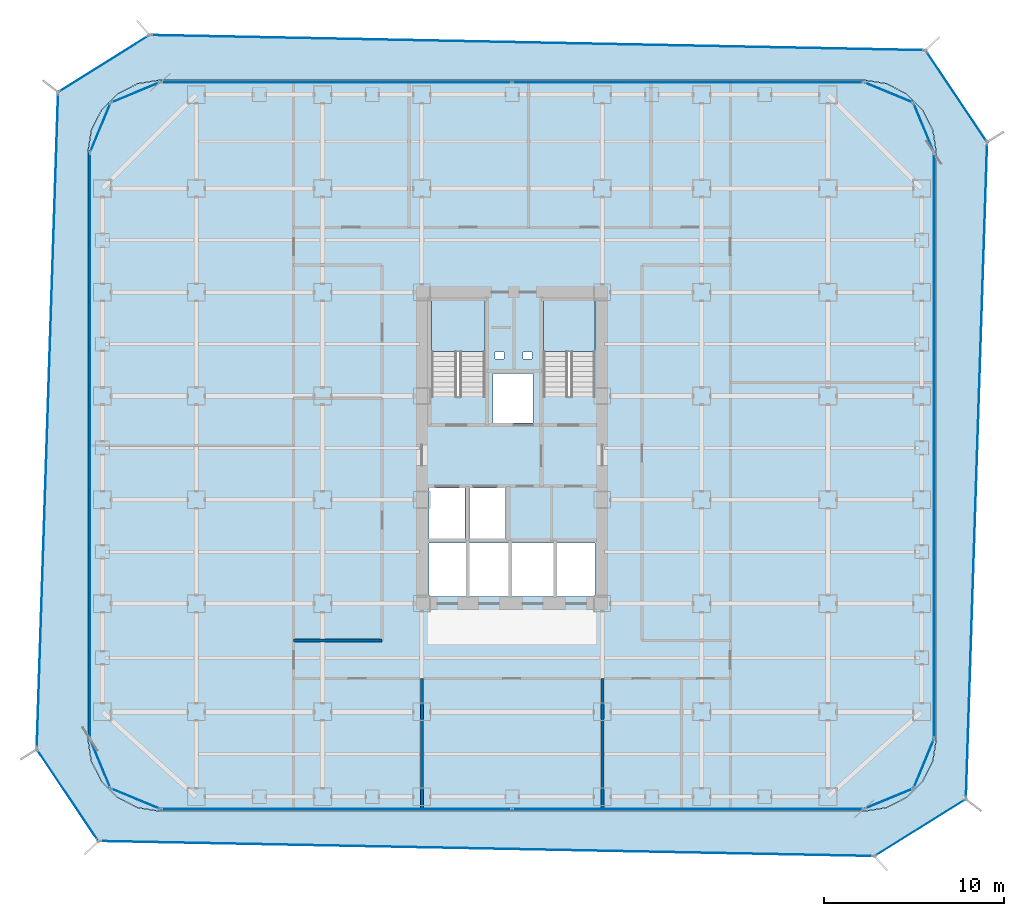
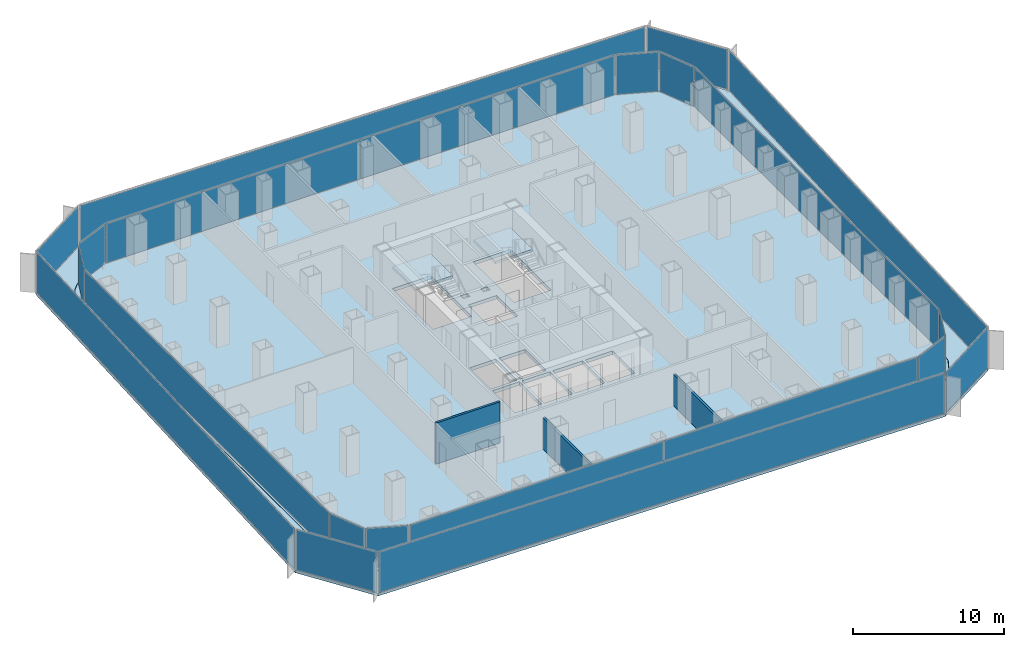
# One storey, part 16 of 21: 22 plates, 4 slabs, 3 walls, 22 elements without a shape of their own.
"""IFC4 building model written with IfcOpenShell, lengths in metres."""

from ifc_helpers import new_model, si_unit, direction, frame, frame_2d, origin, origin_2d, place, context, subcontext, project, spatial, polyline, rectangle, outline, extrude, source, transform, mapped, material, layer, layer_set, type_object, element, aggregate, save


model = new_model("IFC4")

# Units and contexts
model_context = context("Model", 3, precision=1e-05, world=origin(), true_north=direction((0.0, 1.0)))
body_context = subcontext(model_context, "Body", "Model", "MODEL_VIEW")
ifc_project = project(units=[si_unit("LENGTHUNIT", "METRE"), si_unit("AREAUNIT", "SQUARE_METRE"), si_unit("VOLUMEUNIT", "CUBIC_METRE"), si_unit("PLANEANGLEUNIT", "RADIAN"), si_unit("MASSUNIT", "GRAM", prefix="KILO")], contexts=[model_context])

# Site, building, storey
site_placement = place(None, origin())
site = spatial("IfcSite", under=ifc_project, at=site_placement, CompositionType="ELEMENT")
building_placement = place(site_placement, origin())
building = spatial("IfcBuilding", under=site, at=building_placement, Name="Kolveth Station Tower", CompositionType="ELEMENT")
storey_placement = place(building_placement, frame((0.0, 0.0, 33.300048828125)))
storey = spatial("IfcBuildingStorey", under=building, at=storey_placement, Name="L08", CompositionType="ELEMENT", Elevation=33.300048828125)

# Slab
ifc_material_1 = material(Name="Concrete C45/55", Category="concrete")
ifc_layer_1 = layer(ifc_material_1, 0.280029296875)
ifc_layer_set_1 = layer_set([ifc_layer_1], Name="Concrete C45/55")
slab_type_1 = type_object("IfcSlabType", Name="Slab_SF-280", PredefinedType="FLOOR", material=ifc_layer_set_1)
slab_1_placement = place(storey_placement, frame((0.0, 0.0, -0.280029296875)))
element("IfcSlab", 1, at=slab_1_placement, inside=storey, type_object=slab_type_1, Name="L08 Tower Structural Floor Slab", PredefinedType="FLOOR", context=body_context, shape_type="SweptSolid", body=[
    extrude(outline(polyline([(43.0, 0.0), (44.236083984375, 0.19580078125), (45.35107421875, 0.763916015625), (46.236083984375, 1.64892578125), (46.80419921875, 2.763916015625), (47.0, 4.0), (47.0, 36.5), (46.80419921875, 37.736083984375), (46.236083984375, 38.85107421875), (45.35107421875, 39.736083984375), (44.236083984375, 40.30419921875), (43.0, 40.5), (4.0, 40.5), (2.763916015625, 40.30419921875), (1.64892578125, 39.736083984375), (0.763916015625, 38.85107421875), (0.19580078125, 37.736083984375), (0.0, 36.5), (0.0, 4.0), (0.19580078125, 2.763916015625), (0.763916015625, 1.64892578125), (1.64892578125, 0.763916015625), (2.763916015625, 0.19580078125), (4.0, 0.0), (43.0, 0.0)]), holes=[polyline([(19.0400390625, 22.985107421875), (22.0, 22.985107421875), (22.0, 28.39990234375), (19.0400390625, 28.39990234375), (19.0400390625, 22.985107421875)]), polyline([(25.239990234375, 22.985107421875), (28.10009765625, 22.985107421875), (28.10009765625, 28.39990234375), (25.239990234375, 28.39990234375), (25.239990234375, 22.985107421875)]), polyline([(18.89990234375, 15.10009765625), (20.89990234375, 15.10009765625), (20.89990234375, 17.89990234375), (18.89990234375, 17.89990234375), (18.89990234375, 15.10009765625)]), polyline([(21.14990234375, 15.10009765625), (23.14990234375, 15.10009765625), (23.14990234375, 17.89990234375), (21.14990234375, 17.89990234375), (21.14990234375, 15.10009765625)]), polyline([(22.449951171875, 21.5), (24.64990234375, 21.5), (24.64990234375, 24.25), (22.449951171875, 24.25), (22.449951171875, 21.5)]), polyline([(18.89990234375, 11.89990234375), (20.949951171875, 11.89990234375), (20.949951171875, 14.85009765625), (18.89990234375, 14.85009765625), (18.89990234375, 11.89990234375)]), polyline([(21.14990234375, 11.89990234375), (23.300048828125, 11.89990234375), (23.300048828125, 14.85009765625), (21.14990234375, 14.85009765625), (21.14990234375, 11.89990234375)]), polyline([(23.5, 11.89990234375), (25.800048828125, 11.89990234375), (25.800048828125, 14.85009765625), (23.5, 14.85009765625), (23.5, 11.89990234375)]), polyline([(26.0, 11.89990234375), (28.10009765625, 11.89990234375), (28.10009765625, 14.85009765625), (26.0, 14.85009765625), (26.0, 11.89990234375)]), polyline([(22.550048828125, 25.050048828125), (23.050048828125, 25.050048828125), (23.050048828125, 25.449951171875), (22.550048828125, 25.449951171875), (22.550048828125, 25.050048828125)]), polyline([(24.10009765625, 25.050048828125), (24.60009765625, 25.050048828125), (24.60009765625, 25.449951171875), (24.10009765625, 25.449951171875), (24.10009765625, 25.050048828125)])]), origin(), (0.0, 0.0, 1.0), 0.280029296875),
])

# Stair, slab
ifc_material_2 = material(Name="Concrete C40/50", Category="concrete")
stair_type_1 = type_object("IfcStairType", Name="Stair_ST2", PredefinedType="HALF_TURN_STAIR", material=ifc_material_2)
stair_1_placement = place(storey_placement, origin())
stair_1 = element("IfcStair", 2, at=stair_1_placement, inside=storey, type_object=stair_type_1, Name="L08 Tower Exit Stair ST2", PredefinedType="HALF_TURN_STAIR")
ifc_layer_2 = layer(ifc_material_2, 0.18994140625)
ifc_layer_set_2 = layer_set([ifc_layer_2], Name="Concrete C40/50")
slab_type_2 = type_object("IfcSlabType", Name="Slab_SL-190", PredefinedType="LANDING", material=ifc_layer_set_2)
slab_2_placement = place(storey_placement, frame((0.0, 0.0, 1.599853515625)))
slab_2 = element("IfcSlab", 3, at=slab_2_placement, type_object=slab_type_2, Name="ST2 landing 1", PredefinedType="LANDING", context=body_context, shape_type="SweptSolid", body=[
    extrude(outline(polyline([(28.10009765625, 25.469970703125), (28.10009765625, 28.39990234375), (25.239990234375, 28.39990234375), (25.239990234375, 25.469970703125), (28.10009765625, 25.469970703125)])), origin(), (0.0, 0.0, 1.0), 0.2001953125),
])
aggregate(stair_1, [slab_2])

stair_type_2 = type_object("IfcStairType", Name="Stair_ST1", PredefinedType="HALF_TURN_STAIR", material=ifc_material_2)
stair_2_placement = place(storey_placement, origin())
stair_2 = element("IfcStair", 4, at=stair_2_placement, inside=storey, type_object=stair_type_2, Name="L08 Tower Exit Stair ST1", PredefinedType="HALF_TURN_STAIR")
ifc_layer_3 = layer(ifc_material_2, 0.205078125)
ifc_layer_set_3 = layer_set([ifc_layer_3], Name="Concrete C40/50")
slab_type_3 = type_object("IfcSlabType", Name="Slab_SL-205", PredefinedType="LANDING", material=ifc_layer_set_3)
slab_3_placement = place(storey_placement, frame((0.0, 0.0, 1.599853515625)))
slab_3 = element("IfcSlab", 5, at=slab_3_placement, type_object=slab_type_3, Name="ST1 landing 1", PredefinedType="LANDING", context=body_context, shape_type="SweptSolid", body=[
    extrude(outline(polyline([(22.0, 25.469970703125), (22.0, 28.39990234375), (19.0400390625, 28.39990234375), (19.0400390625, 25.469970703125), (22.0, 25.469970703125)])), origin(), (0.0, 0.0, 1.0), 0.2001953125),
])
aggregate(stair_2, [slab_3])

# Slab
ifc_layer_4 = layer(ifc_material_2, 0.2099609375)
ifc_layer_set_4 = layer_set([ifc_layer_4], Name="Concrete C40/50")
slab_type_4 = type_object("IfcSlabType", Name="Slab_ST-210", PredefinedType="FLOOR", material=ifc_layer_set_4)
slab_4_placement = place(storey_placement, frame((0.0, 0.0, -0.2099609375)))
element("IfcSlab", 6, at=slab_4_placement, inside=storey, type_object=slab_type_4, Name="L08 Double-Skin Cavity Structural Ledger Ring", PredefinedType="FLOOR", context=body_context, shape_type="SweptSolid", body=[
    extrude(outline(polyline([(0.586669921875, -1.659912109375), (-2.83349609375, 3.434814453125), (-1.64697265625, 39.831787109375), (3.417724609375, 42.998779296875), (46.4111328125, 42.15576171875), (49.82666015625, 37.064453125), (48.648681640625, 0.667236328125), (43.581787109375, -2.492919921875), (0.586669921875, -1.659912109375)]), holes=[polyline([(43.002197265625, -0.014892578125), (44.23828125, 0.180908203125), (44.242919921875, 0.182373046875), (45.35791015625, 0.75048828125), (45.36181640625, 0.75341796875), (46.24658203125, 1.63818359375), (46.24951171875, 1.64208984375), (46.817626953125, 2.757080078125), (46.819091796875, 2.76171875), (47.014892578125, 3.997802734375), (47.014892578125, 4.0), (47.014892578125, 36.5), (47.014892578125, 36.502197265625), (46.819091796875, 37.73828125), (46.817626953125, 37.742919921875), (46.24951171875, 38.85791015625), (46.24658203125, 38.86181640625), (45.36181640625, 39.74658203125), (45.35791015625, 39.74951171875), (44.242919921875, 40.317626953125), (44.23828125, 40.319091796875), (43.002197265625, 40.514892578125), (43.0, 40.514892578125), (4.0, 40.514892578125), (3.997802734375, 40.514892578125), (2.76171875, 40.319091796875), (2.757080078125, 40.317626953125), (1.64208984375, 39.74951171875), (1.63818359375, 39.74658203125), (0.75341796875, 38.86181640625), (0.75048828125, 38.85791015625), (0.182373046875, 37.742919921875), (0.180908203125, 37.73828125), (-0.014892578125, 36.502197265625), (-0.014892578125, 36.5), (-0.014892578125, 4.0), (-0.014892578125, 3.997802734375), (0.180908203125, 2.76171875), (0.182373046875, 2.757080078125), (0.75048828125, 1.64208984375), (0.75341796875, 1.63818359375), (1.63818359375, 0.75341796875), (1.64208984375, 0.75048828125), (2.757080078125, 0.182373046875), (2.76171875, 0.180908203125), (3.997802734375, -0.014892578125), (4.0, -0.014892578125), (43.0, -0.014892578125), (43.002197265625, -0.014892578125)])]), origin(), (0.0, 0.0, 1.0), 0.2099609375),
])

# Curtain wall, plate
ifc_material_3 = material(Name="Aluminium 6063-T6 and low-E dark glass", Category="aluminium")
ifc_layer_5 = layer(ifc_material_3, 0.179931640625)
ifc_layer_set_5 = layer_set([ifc_layer_5], Name="Aluminium 6063-T6 and low-E dark glass")
curtain_wall_type_1 = type_object("IfcCurtainWallType", Name="CurtainWall_CW-Z1", PredefinedType="NOTDEFINED", material=ifc_layer_set_5)
curtain_wall_1_placement = place(storey_placement, origin())
curtain_wall_1 = element("IfcCurtainWall", 7, at=curtain_wall_1_placement, inside=storey, type_object=curtain_wall_type_1, Name="L08 Inner Thermal Curtain Wall 1", PredefinedType="NOTDEFINED")
ifc_material_4 = material(Name="Architectural low-E dark glass", Category="glass")
ifc_layer_6 = layer(ifc_material_4, 0.035888671875)
ifc_layer_set_6 = layer_set([ifc_layer_6], Name="Architectural low-E dark glass")
plate_type_1 = type_object("IfcPlateType", Name="Panel_GL1", PredefinedType="CURTAIN_PANEL", material=ifc_layer_set_6)
shared_shape_1 = source(origin(), body_context, "Body", "SweptSolid", [
    extrude(rectangle(XDim=2.83349609375, YDim=0.035888671875, at=origin_2d()), origin(), (0.0, 0.0, 1.0), 3.18408203125),
])
plate_1_placement = place(storey_placement, frame((44.371826171875, 0.688232421875, 0.06787109375), z_axis=(0.0, 0.0, 1.0), x_axis=(0.923883857728, 0.382672990201, 0.0)))
plate_1 = element("IfcPlate", 8, at=plate_1_placement, type_object=plate_type_1, Name="CW-Z1 panel 1.1", PredefinedType="CURTAIN_PANEL", context=body_context, shape_type="MappedRepresentation", body=[
    mapped(shared_shape_1, transform((0.0, 0.0, 0.0), x_axis=(1.0, 0.0, 0.0), y_axis=(0.0, 1.0, 0.0), z_axis=(0.0, 0.0, 1.0), scale=1.0)),
])
aggregate(curtain_wall_1, [plate_1])

curtain_wall_2_placement = place(storey_placement, origin())
curtain_wall_2 = element("IfcCurtainWall", 9, at=curtain_wall_2_placement, inside=storey, type_object=curtain_wall_type_1, Name="L08 Inner Thermal Curtain Wall 2", PredefinedType="NOTDEFINED")
plate_2_placement = place(storey_placement, frame((46.311767578125, 2.628173828125, 0.06787109375), z_axis=(0.0, 0.0, 1.0), x_axis=(0.382672990201, 0.923883857728, 0.0)))
plate_2 = element("IfcPlate", 10, at=plate_2_placement, type_object=plate_type_1, Name="CW-Z1 panel 1.1", PredefinedType="CURTAIN_PANEL", context=body_context, shape_type="MappedRepresentation", body=[
    mapped(shared_shape_1, transform((0.0, 0.0, 0.0), x_axis=(1.0, 0.0, 0.0), y_axis=(0.0, 1.0, 0.0), z_axis=(0.0, 0.0, 1.0), scale=1.0)),
])
aggregate(curtain_wall_2, [plate_2])

curtain_wall_3_placement = place(storey_placement, origin())
curtain_wall_3 = element("IfcCurtainWall", 11, at=curtain_wall_3_placement, inside=storey, type_object=curtain_wall_type_1, Name="L08 Inner Thermal Curtain Wall 4", PredefinedType="NOTDEFINED")
plate_3_placement = place(storey_placement, frame((46.311767578125, 37.871826171875, 0.06787109375), z_axis=(0.0, 0.0, 1.0), x_axis=(-0.382672990201, 0.923883857728, 0.0)))
plate_3 = element("IfcPlate", 12, at=plate_3_placement, type_object=plate_type_1, Name="CW-Z1 panel 1.1", PredefinedType="CURTAIN_PANEL", context=body_context, shape_type="MappedRepresentation", body=[
    mapped(shared_shape_1, transform((0.0, 0.0, 0.0), x_axis=(1.0, 0.0, 0.0), y_axis=(0.0, 1.0, 0.0), z_axis=(0.0, 0.0, 1.0), scale=1.0)),
])
aggregate(curtain_wall_3, [plate_3])

curtain_wall_4_placement = place(storey_placement, origin())
curtain_wall_4 = element("IfcCurtainWall", 13, at=curtain_wall_4_placement, inside=storey, type_object=curtain_wall_type_1, Name="L08 Inner Thermal Curtain Wall 5", PredefinedType="NOTDEFINED")
plate_4_placement = place(storey_placement, frame((44.371826171875, 39.811767578125, 0.06787109375), z_axis=(0.0, 0.0, 1.0), x_axis=(-0.923883857728, 0.382672990201, 0.0)))
plate_4 = element("IfcPlate", 14, at=plate_4_placement, type_object=plate_type_1, Name="CW-Z1 panel 1.1", PredefinedType="CURTAIN_PANEL", context=body_context, shape_type="MappedRepresentation", body=[
    mapped(shared_shape_1, transform((0.0, 0.0, 0.0), x_axis=(1.0, 0.0, 0.0), y_axis=(0.0, 1.0, 0.0), z_axis=(0.0, 0.0, 1.0), scale=1.0)),
])
aggregate(curtain_wall_4, [plate_4])

curtain_wall_5_placement = place(storey_placement, origin())
curtain_wall_5 = element("IfcCurtainWall", 15, at=curtain_wall_5_placement, inside=storey, type_object=curtain_wall_type_1, Name="L08 Inner Thermal Curtain Wall 7", PredefinedType="NOTDEFINED")
plate_5_placement = place(storey_placement, frame((2.628173828125, 39.811767578125, 0.06787109375), z_axis=(0.0, 0.0, 1.0), x_axis=(-0.923883857728, -0.382672990201, 0.0)))
plate_5 = element("IfcPlate", 16, at=plate_5_placement, type_object=plate_type_1, Name="CW-Z1 panel 1.1", PredefinedType="CURTAIN_PANEL", context=body_context, shape_type="MappedRepresentation", body=[
    mapped(shared_shape_1, transform((0.0, 0.0, 0.0), x_axis=(1.0, 0.0, 0.0), y_axis=(0.0, 1.0, 0.0), z_axis=(0.0, 0.0, 1.0), scale=1.0)),
])
aggregate(curtain_wall_5, [plate_5])

curtain_wall_6_placement = place(storey_placement, origin())
curtain_wall_6 = element("IfcCurtainWall", 17, at=curtain_wall_6_placement, inside=storey, type_object=curtain_wall_type_1, Name="L08 Inner Thermal Curtain Wall 8", PredefinedType="NOTDEFINED")
plate_6_placement = place(storey_placement, frame((0.688232421875, 37.871826171875, 0.06787109375), z_axis=(0.0, 0.0, 1.0), x_axis=(-0.382672990201, -0.923883857728, 0.0)))
plate_6 = element("IfcPlate", 18, at=plate_6_placement, type_object=plate_type_1, Name="CW-Z1 panel 1.1", PredefinedType="CURTAIN_PANEL", context=body_context, shape_type="MappedRepresentation", body=[
    mapped(shared_shape_1, transform((0.0, 0.0, 0.0), x_axis=(1.0, 0.0, 0.0), y_axis=(0.0, 1.0, 0.0), z_axis=(0.0, 0.0, 1.0), scale=1.0)),
])
aggregate(curtain_wall_6, [plate_6])

curtain_wall_7_placement = place(storey_placement, origin())
curtain_wall_7 = element("IfcCurtainWall", 19, at=curtain_wall_7_placement, inside=storey, type_object=curtain_wall_type_1, Name="L08 Inner Thermal Curtain Wall 10", PredefinedType="NOTDEFINED")
plate_7_placement = place(storey_placement, frame((0.688232421875, 2.628173828125, 0.06787109375), z_axis=(0.0, 0.0, 1.0), x_axis=(0.382672990201, -0.923883857728, 0.0)))
plate_7 = element("IfcPlate", 20, at=plate_7_placement, type_object=plate_type_1, Name="CW-Z1 panel 1.1", PredefinedType="CURTAIN_PANEL", context=body_context, shape_type="MappedRepresentation", body=[
    mapped(shared_shape_1, transform((0.0, 0.0, 0.0), x_axis=(1.0, 0.0, 0.0), y_axis=(0.0, 1.0, 0.0), z_axis=(0.0, 0.0, 1.0), scale=1.0)),
])
aggregate(curtain_wall_7, [plate_7])

curtain_wall_8_placement = place(storey_placement, origin())
curtain_wall_8 = element("IfcCurtainWall", 21, at=curtain_wall_8_placement, inside=storey, type_object=curtain_wall_type_1, Name="L08 Inner Thermal Curtain Wall 11", PredefinedType="NOTDEFINED")
plate_8_placement = place(storey_placement, frame((2.628173828125, 0.688232421875, 0.06787109375), z_axis=(0.0, 0.0, 1.0), x_axis=(0.923883857728, -0.382672990201, 0.0)))
plate_8 = element("IfcPlate", 22, at=plate_8_placement, type_object=plate_type_1, Name="CW-Z1 panel 1.1", PredefinedType="CURTAIN_PANEL", context=body_context, shape_type="MappedRepresentation", body=[
    mapped(shared_shape_1, transform((0.0, 0.0, 0.0), x_axis=(1.0, 0.0, 0.0), y_axis=(0.0, 1.0, 0.0), z_axis=(0.0, 0.0, 1.0), scale=1.0)),
])
aggregate(curtain_wall_8, [plate_8])

curtain_wall_9_placement = place(storey_placement, origin())
curtain_wall_9 = element("IfcCurtainWall", 23, at=curtain_wall_9_placement, inside=storey, type_object=curtain_wall_type_1, Name="L08 Inner Thermal Curtain Wall 3", PredefinedType="NOTDEFINED")
shared_shape_2 = source(origin(), body_context, "Body", "SweptSolid", [
    extrude(rectangle(XDim=32.364013671875, YDim=0.035888671875, at=origin_2d()), origin(), (0.0, 0.0, 1.0), 3.18408203125),
])
plate_9_placement = place(storey_placement, frame((46.8798828125, 20.25, 0.06787109375), z_axis=(0.0, 0.0, 1.0), x_axis=(0.0, 1.0, 0.0)))
plate_9 = element("IfcPlate", 24, at=plate_9_placement, type_object=plate_type_1, Name="CW-Z1 panel 1.1", PredefinedType="CURTAIN_PANEL", context=body_context, shape_type="MappedRepresentation", body=[
    mapped(shared_shape_2, transform((0.0, 0.0, 0.0), x_axis=(1.0, 0.0, 0.0), y_axis=(0.0, 1.0, 0.0), z_axis=(0.0, 0.0, 1.0), scale=1.0)),
])
aggregate(curtain_wall_9, [plate_9])

curtain_wall_10_placement = place(storey_placement, origin())
curtain_wall_10 = element("IfcCurtainWall", 25, at=curtain_wall_10_placement, inside=storey, type_object=curtain_wall_type_1, Name="L08 Inner Thermal Curtain Wall 9", PredefinedType="NOTDEFINED")
plate_10_placement = place(storey_placement, frame((0.1201171875, 20.25, 0.06787109375), z_axis=(0.0, 0.0, 1.0), x_axis=(0.0, -1.0, 0.0)))
plate_10 = element("IfcPlate", 26, at=plate_10_placement, type_object=plate_type_1, Name="CW-Z1 panel 1.1", PredefinedType="CURTAIN_PANEL", context=body_context, shape_type="MappedRepresentation", body=[
    mapped(shared_shape_2, transform((0.0, 0.0, 0.0), x_axis=(1.0, 0.0, 0.0), y_axis=(0.0, 1.0, 0.0), z_axis=(0.0, 0.0, 1.0), scale=1.0)),
])
aggregate(curtain_wall_10, [plate_10])

# Curtain wall, plates
curtain_wall_11_placement = place(storey_placement, origin())
curtain_wall_11 = element("IfcCurtainWall", 27, at=curtain_wall_11_placement, inside=storey, type_object=curtain_wall_type_1, Name="L08 Inner Thermal Curtain Wall 6", PredefinedType="NOTDEFINED")
shared_shape_3 = source(origin(), body_context, "Body", "SweptSolid", [
    extrude(rectangle(XDim=19.401611328125, YDim=0.035888671875, at=origin_2d()), origin(), (0.0, 0.0, 1.0), 3.18408203125),
])
plate_11_placement = place(storey_placement, frame((33.231201171875, 40.3798828125, 0.06787109375), z_axis=(0.0, 0.0, 1.0), x_axis=(-1.0, 0.0, 0.0)))
plate_11 = element("IfcPlate", 28, at=plate_11_placement, type_object=plate_type_1, Name="CW-Z1 panel 1.1", PredefinedType="CURTAIN_PANEL", context=body_context, shape_type="MappedRepresentation", body=[
    mapped(shared_shape_3, transform((0.0, 0.0, 0.0), x_axis=(1.0, 0.0, 0.0), y_axis=(0.0, 1.0, 0.0), z_axis=(0.0, 0.0, 1.0), scale=1.0)),
])
plate_12_placement = place(storey_placement, frame((13.768798828125, 40.3798828125, 0.06787109375), z_axis=(0.0, 0.0, 1.0), x_axis=(-1.0, 0.0, 0.0)))
plate_12 = element("IfcPlate", 29, at=plate_12_placement, type_object=plate_type_1, Name="CW-Z1 panel 2.1", PredefinedType="CURTAIN_PANEL", context=body_context, shape_type="MappedRepresentation", body=[
    mapped(shared_shape_3, transform((0.0, 0.0, 0.0), x_axis=(1.0, 0.0, 0.0), y_axis=(0.0, 1.0, 0.0), z_axis=(0.0, 0.0, 1.0), scale=1.0)),
])
aggregate(curtain_wall_11, [plate_11, plate_12])

curtain_wall_12_placement = place(storey_placement, origin())
curtain_wall_12 = element("IfcCurtainWall", 30, at=curtain_wall_12_placement, inside=storey, type_object=curtain_wall_type_1, Name="L08 Inner Thermal Curtain Wall 12", PredefinedType="NOTDEFINED")
plate_13_placement = place(storey_placement, frame((13.768798828125, 0.1201171875, 0.06787109375), z_axis=(0.0, 0.0, 1.0), x_axis=(1.0, 0.0, 0.0)))
plate_13 = element("IfcPlate", 31, at=plate_13_placement, type_object=plate_type_1, Name="CW-Z1 panel 1.1", PredefinedType="CURTAIN_PANEL", context=body_context, shape_type="MappedRepresentation", body=[
    mapped(shared_shape_3, transform((0.0, 0.0, 0.0), x_axis=(1.0, 0.0, 0.0), y_axis=(0.0, 1.0, 0.0), z_axis=(0.0, 0.0, 1.0), scale=1.0)),
])
plate_14_placement = place(storey_placement, frame((33.231201171875, 0.1201171875, 0.06787109375), z_axis=(0.0, 0.0, 1.0), x_axis=(1.0, 0.0, 0.0)))
plate_14 = element("IfcPlate", 32, at=plate_14_placement, type_object=plate_type_1, Name="CW-Z1 panel 2.1", PredefinedType="CURTAIN_PANEL", context=body_context, shape_type="MappedRepresentation", body=[
    mapped(shared_shape_3, transform((0.0, 0.0, 0.0), x_axis=(1.0, 0.0, 0.0), y_axis=(0.0, 1.0, 0.0), z_axis=(0.0, 0.0, 1.0), scale=1.0)),
])
aggregate(curtain_wall_12, [plate_13, plate_14])

# Curtain wall, plate
ifc_material_5 = material(Name="Black anodized aluminium 6063-T6 and dark solar glass", Category="aluminium")
ifc_layer_7 = layer(ifc_material_5, 0.159912109375)
ifc_layer_set_7 = layer_set([ifc_layer_7], Name="Black anodized aluminium 6063-T6 and dark solar glass")
curtain_wall_type_2 = type_object("IfcCurtainWallType", Name="OUTER SKIN CW-OS", PredefinedType="NOTDEFINED", material=ifc_layer_set_7)
curtain_wall_13_placement = place(storey_placement, origin())
curtain_wall_13 = element("IfcCurtainWall", 33, at=curtain_wall_13_placement, inside=storey, type_object=curtain_wall_type_2, Name="L08 Outer Ventilated Skin Curtain Wall 1", PredefinedType="NOTDEFINED")
ifc_layer_8 = layer(ifc_material_4, 0.028076171875)
ifc_layer_set_8 = layer_set([ifc_layer_8], Name="Architectural low-E dark glass")
plate_type_2 = type_object("IfcPlateType", Name="Panel_GL-OS", PredefinedType="CURTAIN_PANEL", material=ifc_layer_set_8)
shared_shape_4 = source(origin(), body_context, "Body", "SweptSolid", [
    extrude(rectangle(XDim=5.8056640625, YDim=0.028076171875, at=origin_2d()), origin(), (0.0, 0.0, 1.0), 3.243896484375),
])
plate_15_placement = place(storey_placement, frame((46.115234375, -0.912841796875, 0.0732421875), z_axis=(0.0, 0.0, 1.0), x_axis=(0.848507810633, 0.529182856199, 0.0)))
plate_15 = element("IfcPlate", 34, at=plate_15_placement, type_object=plate_type_2, Name="CW-OS panel 1.1", PredefinedType="CURTAIN_PANEL", context=body_context, shape_type="MappedRepresentation", body=[
    mapped(shared_shape_4, transform((0.0, 0.0, 0.0), x_axis=(1.0, 0.0, 0.0), y_axis=(0.0, 1.0, 0.0), z_axis=(0.0, 0.0, 1.0), scale=1.0)),
])
aggregate(curtain_wall_13, [plate_15])

curtain_wall_14_placement = place(storey_placement, origin())
curtain_wall_14 = element("IfcCurtainWall", 35, at=curtain_wall_14_placement, inside=storey, type_object=curtain_wall_type_2, Name="L08 Outer Ventilated Skin Curtain Wall 2", PredefinedType="NOTDEFINED")
shared_shape_5 = source(origin(), body_context, "Body", "SweptSolid", [
    extrude(rectangle(XDim=36.250244140625, YDim=0.028076171875, at=origin_2d()), origin(), (0.0, 0.0, 1.0), 3.243896484375),
])
plate_16_placement = place(storey_placement, frame((49.23779296875, 18.865966796875, 0.0732421875), z_axis=(0.0, 0.0, 1.0), x_axis=(0.032348277825, 0.999476657517, 0.0)))
plate_16 = element("IfcPlate", 36, at=plate_16_placement, type_object=plate_type_2, Name="CW-OS panel 1.1", PredefinedType="CURTAIN_PANEL", context=body_context, shape_type="MappedRepresentation", body=[
    mapped(shared_shape_5, transform((0.0, 0.0, 0.0), x_axis=(1.0, 0.0, 0.0), y_axis=(0.0, 1.0, 0.0), z_axis=(0.0, 0.0, 1.0), scale=1.0)),
])
aggregate(curtain_wall_14, [plate_16])

curtain_wall_15_placement = place(storey_placement, origin())
curtain_wall_15 = element("IfcCurtainWall", 37, at=curtain_wall_15_placement, inside=storey, type_object=curtain_wall_type_2, Name="L08 Outer Ventilated Skin Curtain Wall 6", PredefinedType="NOTDEFINED")
plate_17_placement = place(storey_placement, frame((-2.240234375, 21.63330078125, 0.0732421875), z_axis=(0.0, 0.0, 1.0), x_axis=(-0.032584276324, -0.999468991483, 0.0)))
plate_17 = element("IfcPlate", 38, at=plate_17_placement, type_object=plate_type_2, Name="CW-OS panel 1.1", PredefinedType="CURTAIN_PANEL", context=body_context, shape_type="MappedRepresentation", body=[
    mapped(shared_shape_5, transform((0.0, 0.0, 0.0), x_axis=(1.0, 0.0, 0.0), y_axis=(0.0, 1.0, 0.0), z_axis=(0.0, 0.0, 1.0), scale=1.0)),
])
aggregate(curtain_wall_15, [plate_17])

curtain_wall_16_placement = place(storey_placement, origin())
curtain_wall_16 = element("IfcCurtainWall", 39, at=curtain_wall_16_placement, inside=storey, type_object=curtain_wall_type_2, Name="L08 Outer Ventilated Skin Curtain Wall 3", PredefinedType="NOTDEFINED")
shared_shape_6 = source(origin(), body_context, "Body", "SweptSolid", [
    extrude(rectangle(XDim=5.96484375, YDim=0.028076171875, at=origin_2d()), origin(), (0.0, 0.0, 1.0), 3.243896484375),
])
plate_18_placement = place(storey_placement, frame((48.118896484375, 39.610107421875, 0.0732421875), z_axis=(0.0, 0.0, 1.0), x_axis=(-0.557095581609, 0.830448380667, 0.0)))
plate_18 = element("IfcPlate", 40, at=plate_18_placement, type_object=plate_type_2, Name="CW-OS panel 1.1", PredefinedType="CURTAIN_PANEL", context=body_context, shape_type="MappedRepresentation", body=[
    mapped(shared_shape_6, transform((0.0, 0.0, 0.0), x_axis=(1.0, 0.0, 0.0), y_axis=(0.0, 1.0, 0.0), z_axis=(0.0, 0.0, 1.0), scale=1.0)),
])
aggregate(curtain_wall_16, [plate_18])

curtain_wall_17_placement = place(storey_placement, origin())
curtain_wall_17 = element("IfcCurtainWall", 41, at=curtain_wall_17_placement, inside=storey, type_object=curtain_wall_type_2, Name="L08 Outer Ventilated Skin Curtain Wall 4", PredefinedType="NOTDEFINED")
shared_shape_7 = source(origin(), body_context, "Body", "SweptSolid", [
    extrude(rectangle(XDim=42.835693359375, YDim=0.028076171875, at=origin_2d()), origin(), (0.0, 0.0, 1.0), 3.243896484375),
])
plate_19_placement = place(storey_placement, frame((24.91455078125, 42.5771484375, 0.0732421875), z_axis=(0.0, 0.0, 1.0), x_axis=(-0.999807871702, 0.019601522443, 0.0)))
plate_19 = element("IfcPlate", 42, at=plate_19_placement, type_object=plate_type_2, Name="CW-OS panel 1.1", PredefinedType="CURTAIN_PANEL", context=body_context, shape_type="MappedRepresentation", body=[
    mapped(shared_shape_7, transform((0.0, 0.0, 0.0), x_axis=(1.0, 0.0, 0.0), y_axis=(0.0, 1.0, 0.0), z_axis=(0.0, 0.0, 1.0), scale=1.0)),
])
aggregate(curtain_wall_17, [plate_19])

curtain_wall_18_placement = place(storey_placement, origin())
curtain_wall_18 = element("IfcCurtainWall", 43, at=curtain_wall_18_placement, inside=storey, type_object=curtain_wall_type_2, Name="L08 Outer Ventilated Skin Curtain Wall 5", PredefinedType="NOTDEFINED")
shared_shape_8 = source(origin(), body_context, "Body", "SweptSolid", [
    extrude(rectangle(XDim=5.807373046875, YDim=0.028076171875, at=origin_2d()), origin(), (0.0, 0.0, 1.0), 3.243896484375),
])
plate_20_placement = place(storey_placement, frame((0.885498046875, 41.415283203125, 0.0732421875), z_axis=(0.0, 0.0, 1.0), x_axis=(-0.847876014075, -0.530194553684, 0.0)))
plate_20 = element("IfcPlate", 44, at=plate_20_placement, type_object=plate_type_2, Name="CW-OS panel 1.1", PredefinedType="CURTAIN_PANEL", context=body_context, shape_type="MappedRepresentation", body=[
    mapped(shared_shape_8, transform((0.0, 0.0, 0.0), x_axis=(1.0, 0.0, 0.0), y_axis=(0.0, 1.0, 0.0), z_axis=(0.0, 0.0, 1.0), scale=1.0)),
])
aggregate(curtain_wall_18, [plate_20])

curtain_wall_19_placement = place(storey_placement, origin())
curtain_wall_19 = element("IfcCurtainWall", 45, at=curtain_wall_19_placement, inside=storey, type_object=curtain_wall_type_2, Name="L08 Outer Ventilated Skin Curtain Wall 7", PredefinedType="NOTDEFINED")
shared_shape_9 = source(origin(), body_context, "Body", "SweptSolid", [
    extrude(rectangle(XDim=5.97021484375, YDim=0.028076171875, at=origin_2d()), origin(), (0.0, 0.0, 1.0), 3.243896484375),
])
plate_21_placement = place(storey_placement, frame((-1.12353515625, 0.887451171875, 0.0732421875), z_axis=(0.0, 0.0, 1.0), x_axis=(0.557363740264, -0.8302684271, 0.0)))
plate_21 = element("IfcPlate", 46, at=plate_21_placement, type_object=plate_type_2, Name="CW-OS panel 1.1", PredefinedType="CURTAIN_PANEL", context=body_context, shape_type="MappedRepresentation", body=[
    mapped(shared_shape_9, transform((0.0, 0.0, 0.0), x_axis=(1.0, 0.0, 0.0), y_axis=(0.0, 1.0, 0.0), z_axis=(0.0, 0.0, 1.0), scale=1.0)),
])
aggregate(curtain_wall_19, [plate_21])

curtain_wall_20_placement = place(storey_placement, origin())
curtain_wall_20 = element("IfcCurtainWall", 47, at=curtain_wall_20_placement, inside=storey, type_object=curtain_wall_type_2, Name="L08 Outer Ventilated Skin Curtain Wall 8", PredefinedType="NOTDEFINED")
shared_shape_10 = source(origin(), body_context, "Body", "SweptSolid", [
    extrude(rectangle(XDim=42.837158203125, YDim=0.028076171875, at=origin_2d()), origin(), (0.0, 0.0, 1.0), 3.243896484375),
])
plate_22_placement = place(storey_placement, frame((22.084228515625, -2.076416015625, 0.0732421875), z_axis=(0.0, 0.0, 1.0), x_axis=(0.999812461116, -0.019366016544, 0.0)))
plate_22 = element("IfcPlate", 48, at=plate_22_placement, type_object=plate_type_2, Name="CW-OS panel 1.1", PredefinedType="CURTAIN_PANEL", context=body_context, shape_type="MappedRepresentation", body=[
    mapped(shared_shape_10, transform((0.0, 0.0, 0.0), x_axis=(1.0, 0.0, 0.0), y_axis=(0.0, 1.0, 0.0), z_axis=(0.0, 0.0, 1.0), scale=1.0)),
])
aggregate(curtain_wall_20, [plate_22])

# Walls
ifc_material_6 = material(Name="Acoustic double-stud gypsum partition")
ifc_layer_9 = layer(ifc_material_6, 0.1650390625)
ifc_layer_set_9 = layer_set([ifc_layer_9], Name="Acoustic double-stud gypsum partition")
wall_type = type_object("IfcWallType", Name="Wall_IW-165", PredefinedType="PARTITIONING", material=ifc_layer_set_9)
wall_placement = place(storey_placement, frame((11.39990234375, 9.449951171875, 0.0), z_axis=(0.0, 0.0, 1.0), x_axis=(1.0, 0.0, 0.0)))
element("IfcWall", 49, at=wall_placement, inside=storey, type_object=wall_type, Name="L08 Partition Wall WL-L08-OSWT", PredefinedType="PARTITIONING", context=body_context, shape_type="SweptSolid", body=[
    extrude(rectangle(XDim=4.900146484375, YDim=0.1650390625, at=frame_2d((2.4501953125, 0.0))), origin(), (0.0, 0.0, 1.0), 3.320068359375),
])
for number, where, z_axis, x_axis, name in (
    (50, (18.5, 0.159912109375, 0.0), (0.0, 0.0, 1.0), (0.0, 1.0, 0.0), "L08 Partition Wall WL-L08-OS-P1"),
    (51, (28.5, 0.159912109375, 0.0), (0.0, 0.0, 1.0), (0.0, 1.0, 0.0), "L08 Partition Wall WL-L08-OS-P2"),
):
    element("IfcWall", number, at=place(storey_placement, frame(where, z_axis=z_axis, x_axis=x_axis)), inside=storey, type_object=wall_type, Name=name, PredefinedType="PARTITIONING", context=body_context, shape_type="SweptSolid", body=[
        extrude(rectangle(XDim=7.190185546875, YDim=0.1650390625, at=frame_2d((3.59521484375, 0.0))), origin(), (0.0, 0.0, 1.0), 2.5390625),
    ])

save(model, "model.ifc")
